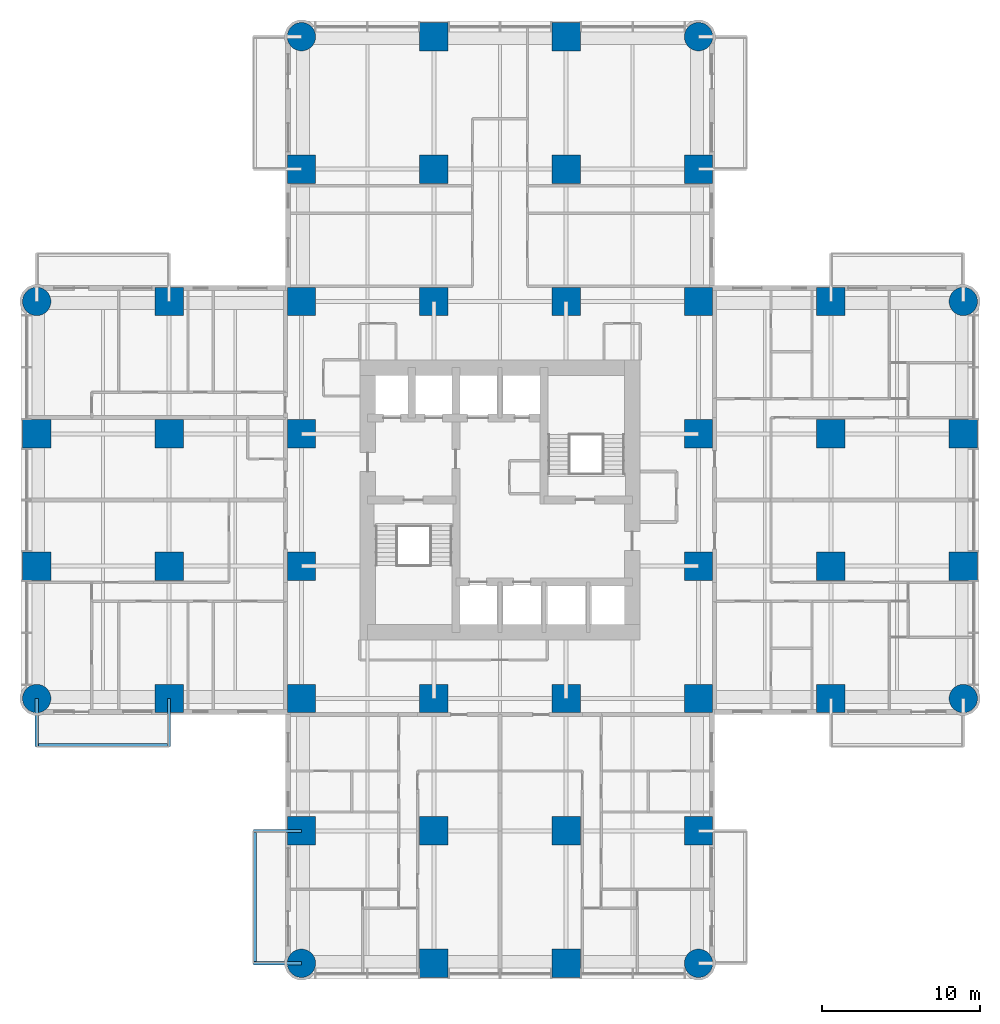
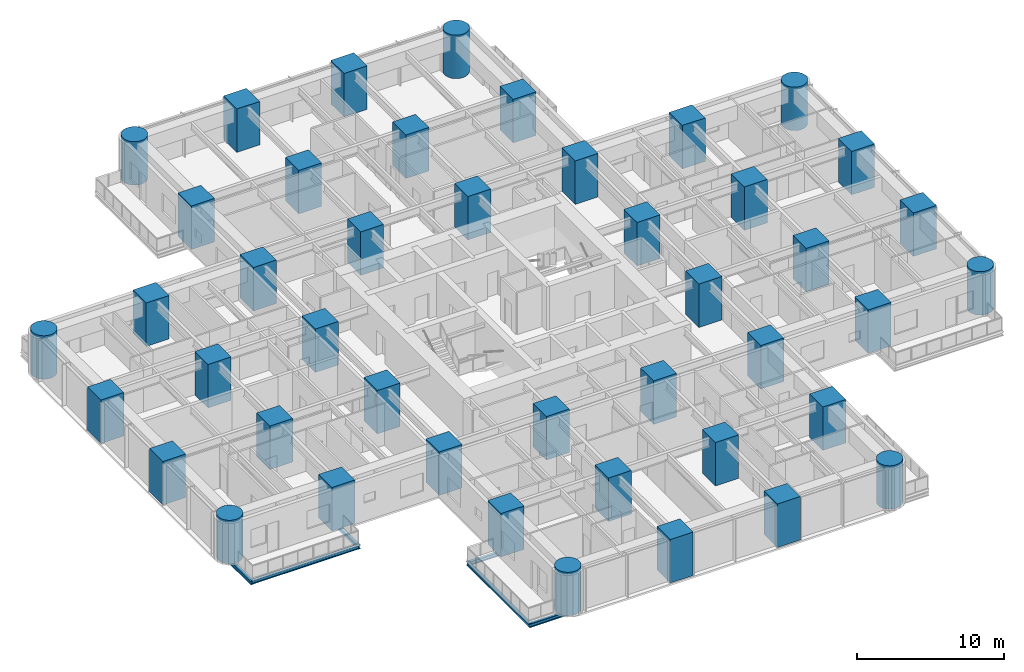
# One storey, part 1 of 17: 44 columns, 6 beams.
"""IFC4 building model written with IfcOpenShell, lengths in metres."""

from ifc_helpers import new_model, si_unit, direction, frame, origin, origin_2d, place, context, subcontext, project, spatial, rectangle, circle, i_section, extrude, material, material_profile, profile_set, type_object, element, save


model = new_model("IFC4")

# Units and contexts
model_context = context("Model", 3, precision=1e-05, world=origin(), true_north=direction((0.0, 1.0)))
body_context = subcontext(model_context, "Body", "Model", "MODEL_VIEW")
ifc_project = project(units=[si_unit("LENGTHUNIT", "METRE"), si_unit("AREAUNIT", "SQUARE_METRE"), si_unit("VOLUMEUNIT", "CUBIC_METRE"), si_unit("PLANEANGLEUNIT", "RADIAN"), si_unit("MASSUNIT", "GRAM", prefix="KILO")], contexts=[model_context])

# Site, building, storey
site_placement = place(None, origin())
site = spatial("IfcSite", under=ifc_project, at=site_placement, CompositionType="ELEMENT")
building_placement = place(site_placement, origin())
building = spatial("IfcBuilding", under=site, at=building_placement, Name="Torre Alcanfor", CompositionType="ELEMENT")
storey_placement = place(building_placement, frame((0.0, 0.0, 34.5)))
storey = spatial("IfcBuildingStorey", under=building, at=storey_placement, Name="L07", CompositionType="ELEMENT", Elevation=34.5)

# Columns
ifc_material_1 = material(Name="Concrete f'c 70 MPa", Category="concrete")
ifc_material_profile_1 = material_profile(ifc_material_1, rectangle(XDim=1.800048828125, YDim=1.800048828125, at=origin_2d()), Name="1800x1800")
ifc_profile_set_1 = profile_set([ifc_material_profile_1], Name="Concrete f'c 70 MPa")
column_type_1 = type_object("IfcColumnType", Name="RC column 1800x1800 f'c70", PredefinedType="COLUMN", material=ifc_profile_set_1)
for number, where, z_axis, x_axis, name in (
    (1, (0.0, 25.199951171875, 0.0), (0.0, 0.0, 1.0), (1.0, 0.0, 0.0), "Column 1/F L07"),
    (2, (0.0, 33.60009765625, 0.0), (0.0, 0.0, 1.0), (1.0, 0.0, 0.0), "Column 1/G L07"),
    (3, (8.39990234375, 16.800048828125, 0.0), (0.0, 0.0, 1.0), (1.0, 0.0, 0.0), "Column 2/E L07"),
    (4, (8.39990234375, 25.199951171875, 0.0), (0.0, 0.0, 1.0), (1.0, 0.0, 0.0), "Column 2/F L07"),
    (5, (8.39990234375, 33.60009765625, 0.0), (0.0, 0.0, 1.0), (1.0, 0.0, 0.0), "Column 2/G L07"),
    (6, (8.39990234375, 42.0, 0.0), (0.0, 0.0, 1.0), (1.0, 0.0, 0.0), "Column 2/H L07"),
    (7, (16.800048828125, 8.39990234375, 0.0), (0.0, 0.0, 1.0), (1.0, 0.0, 0.0), "Column 3/D L07"),
    (8, (16.800048828125, 16.800048828125, 0.0), (0.0, 0.0, 1.0), (1.0, 0.0, 0.0), "Column 3/E L07"),
    (9, (16.800048828125, 25.199951171875, 0.0), (0.0, 0.0, 1.0), (1.0, 0.0, 0.0), "Column 3/F L07"),
    (10, (16.800048828125, 33.60009765625, 0.0), (0.0, 0.0, 1.0), (1.0, 0.0, 0.0), "Column 3/G L07"),
    (11, (16.800048828125, 42.0, 0.0), (0.0, 0.0, 1.0), (1.0, 0.0, 0.0), "Column 3/H L07"),
    (12, (16.800048828125, 50.39990234375, 0.0), (0.0, 0.0, 1.0), (1.0, 0.0, 0.0), "Column 3/J L07"),
    (13, (25.199951171875, 0.0, 0.0), (0.0, 0.0, 1.0), (1.0, 0.0, 0.0), "Column 4/C L07"),
    (14, (25.199951171875, 8.39990234375, 0.0), (0.0, 0.0, 1.0), (1.0, 0.0, 0.0), "Column 4/D L07"),
    (15, (25.199951171875, 16.800048828125, 0.0), (0.0, 0.0, 1.0), (1.0, 0.0, 0.0), "Column 4/E L07"),
    (16, (25.199951171875, 42.0, 0.0), (0.0, 0.0, 1.0), (1.0, 0.0, 0.0), "Column 4/H L07"),
    (17, (25.199951171875, 50.39990234375, 0.0), (0.0, 0.0, 1.0), (1.0, 0.0, 0.0), "Column 4/J L07"),
    (18, (25.199951171875, 58.800048828125, 0.0), (0.0, 0.0, 1.0), (1.0, 0.0, 0.0), "Column 4/K L07"),
    (19, (33.60009765625, 0.0, 0.0), (0.0, 0.0, 1.0), (1.0, 0.0, 0.0), "Column 5/C L07"),
    (20, (33.60009765625, 8.39990234375, 0.0), (0.0, 0.0, 1.0), (1.0, 0.0, 0.0), "Column 5/D L07"),
    (21, (33.60009765625, 16.800048828125, 0.0), (0.0, 0.0, 1.0), (1.0, 0.0, 0.0), "Column 5/E L07"),
    (22, (33.60009765625, 42.0, 0.0), (0.0, 0.0, 1.0), (1.0, 0.0, 0.0), "Column 5/H L07"),
    (23, (33.60009765625, 50.39990234375, 0.0), (0.0, 0.0, 1.0), (1.0, 0.0, 0.0), "Column 5/J L07"),
    (24, (33.60009765625, 58.800048828125, 0.0), (0.0, 0.0, 1.0), (1.0, 0.0, 0.0), "Column 5/K L07"),
    (25, (42.0, 8.39990234375, 0.0), (0.0, 0.0, 1.0), (1.0, 0.0, 0.0), "Column 6/D L07"),
    (26, (42.0, 16.800048828125, 0.0), (0.0, 0.0, 1.0), (1.0, 0.0, 0.0), "Column 6/E L07"),
    (27, (42.0, 25.199951171875, 0.0), (0.0, 0.0, 1.0), (1.0, 0.0, 0.0), "Column 6/F L07"),
    (28, (42.0, 33.60009765625, 0.0), (0.0, 0.0, 1.0), (1.0, 0.0, 0.0), "Column 6/G L07"),
    (29, (42.0, 42.0, 0.0), (0.0, 0.0, 1.0), (1.0, 0.0, 0.0), "Column 6/H L07"),
    (30, (42.0, 50.39990234375, 0.0), (0.0, 0.0, 1.0), (1.0, 0.0, 0.0), "Column 6/J L07"),
    (31, (50.39990234375, 16.800048828125, 0.0), (0.0, 0.0, 1.0), (1.0, 0.0, 0.0), "Column 7/E L07"),
    (32, (50.39990234375, 25.199951171875, 0.0), (0.0, 0.0, 1.0), (1.0, 0.0, 0.0), "Column 7/F L07"),
    (33, (50.39990234375, 33.60009765625, 0.0), (0.0, 0.0, 1.0), (1.0, 0.0, 0.0), "Column 7/G L07"),
    (34, (50.39990234375, 42.0, 0.0), (0.0, 0.0, 1.0), (1.0, 0.0, 0.0), "Column 7/H L07"),
    (35, (58.800048828125, 25.199951171875, 0.0), (0.0, 0.0, 1.0), (1.0, 0.0, 0.0), "Column 8/F L07"),
    (36, (58.800048828125, 33.60009765625, 0.0), (0.0, 0.0, 1.0), (1.0, 0.0, 0.0), "Column 8/G L07"),
):
    element("IfcColumn", number, at=place(storey_placement, frame(where, z_axis=z_axis, x_axis=x_axis)), inside=storey, type_object=column_type_1, Name=name, PredefinedType="COLUMN", context=body_context, shape_type="SweptSolid", body=[
        extrude(rectangle(XDim=1.800048828125, YDim=1.800048828125, at=origin_2d()), origin(), (0.0, 0.0, 1.0), 3.60009765625),
    ])
ifc_material_2 = material(Name="Concrete f'c 70 MPa", Category="concrete")
ifc_material_profile_2 = material_profile(ifc_material_2, circle(Radius=0.89990234375, at=origin_2d()), Name="D1800")
ifc_profile_set_2 = profile_set([ifc_material_profile_2], Name="Concrete f'c 70 MPa")
column_type_2 = type_object("IfcColumnType", Name="RC column D1800 f'c70", PredefinedType="COLUMN", material=ifc_profile_set_2)
for number, where, z_axis, x_axis, name in (
    (37, (0.0, 16.800048828125, 0.0), (0.0, 0.0, 1.0), (1.0, 0.0, 0.0), "Column 1/E L07"),
    (38, (0.0, 42.0, 0.0), (0.0, 0.0, 1.0), (1.0, 0.0, 0.0), "Column 1/H L07"),
    (39, (16.800048828125, 0.0, 0.0), (0.0, 0.0, 1.0), (1.0, 0.0, 0.0), "Column 3/C L07"),
    (40, (16.800048828125, 58.800048828125, 0.0), (0.0, 0.0, 1.0), (1.0, 0.0, 0.0), "Column 3/K L07"),
    (41, (42.0, 0.0, 0.0), (0.0, 0.0, 1.0), (1.0, 0.0, 0.0), "Column 6/C L07"),
    (42, (42.0, 58.800048828125, 0.0), (0.0, 0.0, 1.0), (1.0, 0.0, 0.0), "Column 6/K L07"),
    (43, (58.800048828125, 16.800048828125, 0.0), (0.0, 0.0, 1.0), (1.0, 0.0, 0.0), "Column 8/E L07"),
    (44, (58.800048828125, 42.0, 0.0), (0.0, 0.0, 1.0), (1.0, 0.0, 0.0), "Column 8/H L07"),
):
    element("IfcColumn", number, at=place(storey_placement, frame(where, z_axis=z_axis, x_axis=x_axis)), inside=storey, type_object=column_type_2, Name=name, PredefinedType="COLUMN", context=body_context, shape_type="SweptSolid", body=[
        extrude(circle(Radius=0.89990234375, at=origin_2d()), origin(), (0.0, 0.0, 1.0), 3.60009765625),
    ])

# Beams
ifc_material_3 = material(Name="Steel ASTM A992 Grade 50", Category="steel")
ifc_material_profile_3 = material_profile(ifc_material_3, i_section(OverallWidth=0.205322265625, OverallDepth=0.309814453125, WebThickness=0.00927734375, FlangeThickness=0.016357421875, at=origin_2d()), Name="W12x50")
ifc_profile_set_3 = profile_set([ifc_material_profile_3], Name="Steel ASTM A992 Grade 50")
beam_type_1 = type_object("IfcBeamType", Name="Balcony cantilever beam W12x50", PredefinedType="BEAM", material=ifc_profile_set_3)
for number, where, z_axis, x_axis, name in (
    (45, (16.800048828125, 8.39990234375, -0.35498046875), (-1.0, 0.0, 0.0), (0.0, -1.0, 0.0), "Balcony cantilever beam L07-S2 1"),
    (46, (16.800048828125, 0.0, -0.35498046875), (-1.0, 0.0, 0.0), (0.0, -1.0, 0.0), "Balcony cantilever beam L07-S2 2"),
    (47, (8.39990234375, 16.800048828125, -0.35498046875), (0.0, -1.0, 0.0), (1.0, 0.0, 0.0), "Balcony cantilever beam L07-W1 1"),
    (48, (0.0, 16.800048828125, -0.35498046875), (0.0, -1.0, 0.0), (1.0, 0.0, 0.0), "Balcony cantilever beam L07-W1 2"),
):
    element("IfcBeam", number, at=place(storey_placement, frame(where, z_axis=z_axis, x_axis=x_axis)), inside=storey, type_object=beam_type_1, Name=name, PredefinedType="BEAM", context=body_context, shape_type="SweptSolid", body=[
        extrude(i_section(OverallWidth=0.205322265625, OverallDepth=0.309814453125, WebThickness=0.00927734375, FlangeThickness=0.016357421875, at=origin_2d()), origin(), (0.0, 0.0, 1.0), 3.050048828125),
    ])
ifc_material_4 = material(Name="Steel ASTM A992 Grade 50", Category="steel")
ifc_material_profile_4 = material_profile(ifc_material_4, i_section(OverallWidth=0.203369140625, OverallDepth=0.30224609375, WebThickness=0.007568359375, FlangeThickness=0.01318359375, at=origin_2d()), Name="W12x40")
ifc_profile_set_4 = profile_set([ifc_material_profile_4], Name="Steel ASTM A992 Grade 50")
beam_type_2 = type_object("IfcBeamType", Name="Balcony edge trimmer W12x40", PredefinedType="BEAM", material=ifc_profile_set_4)
for number, where, z_axis, x_axis, name in (
    (49, (13.851806640625, 8.39990234375, -0.35107421875), (0.0, -1.0, 0.0), (1.0, 0.0, 0.0), "Balcony edge trimmer L07-S2"),
    (50, (8.39990234375, 13.851806640625, -0.35107421875), (-1.0, 0.0, 0.0), (0.0, -1.0, 0.0), "Balcony edge trimmer L07-W1"),
):
    element("IfcBeam", number, at=place(storey_placement, frame(where, z_axis=z_axis, x_axis=x_axis)), inside=storey, type_object=beam_type_2, Name=name, PredefinedType="BEAM", context=body_context, shape_type="SweptSolid", body=[
        extrude(i_section(OverallWidth=0.203369140625, OverallDepth=0.30224609375, WebThickness=0.007568359375, FlangeThickness=0.01318359375, at=origin_2d()), origin(), (0.0, 0.0, 1.0), 8.39990234375),
    ])

save(model, "model.ifc")
